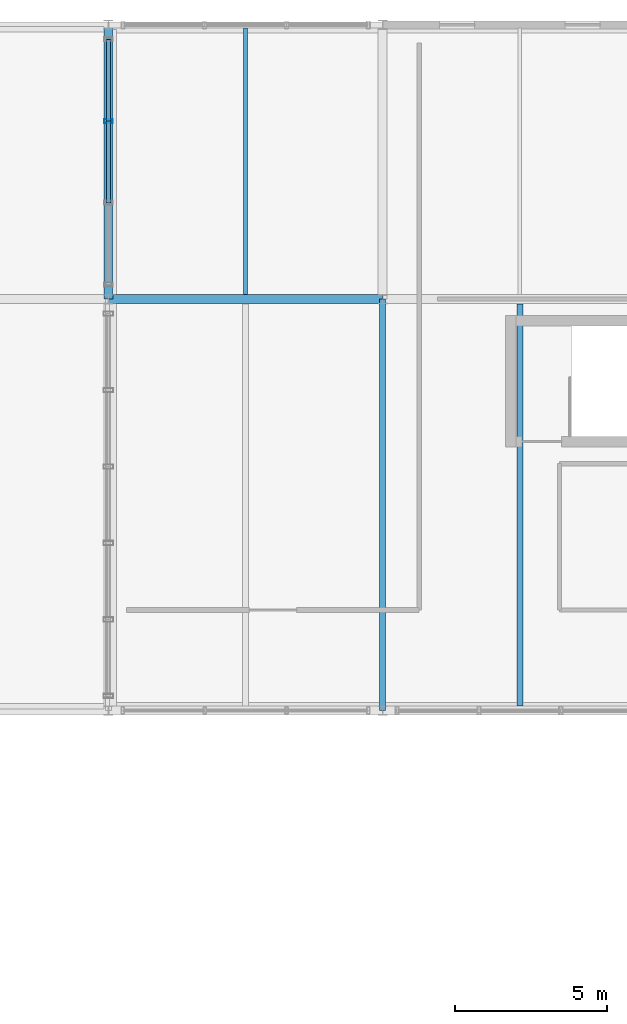
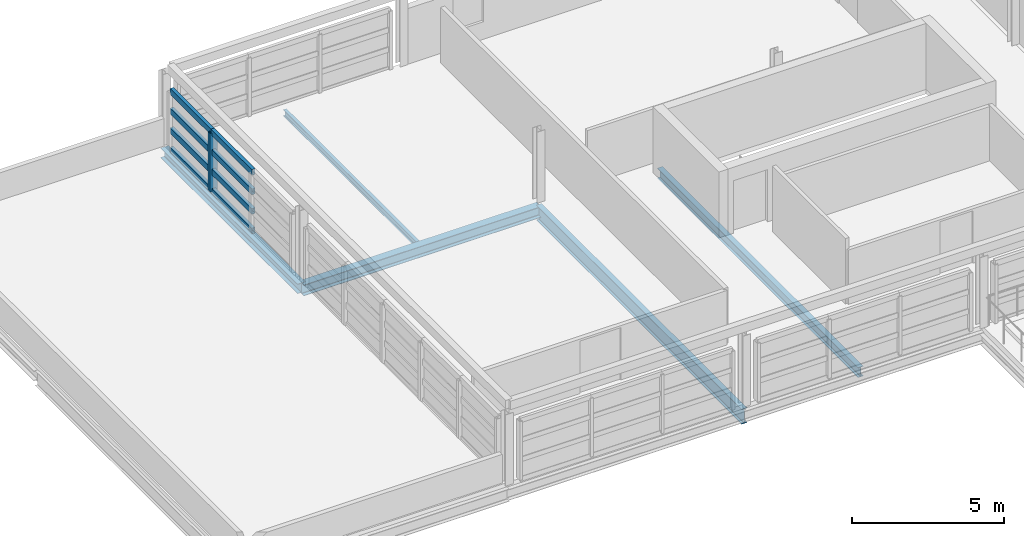
# One storey, part 14 of 27: 9 members, 5 beams, 1 element without a shape of its own.
"""IFC4 building model written with IfcOpenShell, lengths in metres."""

from ifc_helpers import new_model, si_unit, direction, frame, origin, origin_2d, place, context, subcontext, project, spatial, hollow_rectangle, i_section, extrude, material, material_profile, profile_set, type_object, element, aggregate, save


model = new_model("IFC4")

# Units and contexts
model_context = context("Model", 3, precision=1e-05, world=origin(), true_north=direction((0.0, 1.0)))
body_context = subcontext(model_context, "Body", "Model", "MODEL_VIEW")
ifc_project = project(units=[si_unit("LENGTHUNIT", "METRE"), si_unit("AREAUNIT", "SQUARE_METRE"), si_unit("VOLUMEUNIT", "CUBIC_METRE"), si_unit("PLANEANGLEUNIT", "RADIAN"), si_unit("MASSUNIT", "GRAM", prefix="KILO")], contexts=[model_context])

# Site, building, storey
site_placement = place(None, origin())
site = spatial("IfcSite", under=ifc_project, at=site_placement, CompositionType="ELEMENT")
building_placement = place(site_placement, origin())
building = spatial("IfcBuilding", under=site, at=building_placement, Name="Chuanluo Vaults Station", CompositionType="ELEMENT")
storey_placement = place(building_placement, frame((0.0, 0.0, 20.800048828125)))
storey = spatial("IfcBuildingStorey", under=building, at=storey_placement, Name="L05", CompositionType="ELEMENT", Elevation=20.800048828125)

# Beams
ifc_material_1 = material(Name="Steel Q355C", Category="steel")
ifc_material_profile_1 = material_profile(ifc_material_1, i_section(OverallWidth=0.300048828125, OverallDepth=0.389892578125, WebThickness=0.010009765625, FlangeThickness=0.01611328125, FilletRadius=0.02001953125, at=origin_2d()))
ifc_profile_set_1 = profile_set([ifc_material_profile_1], Name="Steel Q355C")
beam_type_1 = type_object("IfcBeamType", Name="BM-GRD-400", PredefinedType="BEAM", material=ifc_profile_set_1)
beam_1_placement = place(storey_placement, frame((136.0, 117.0, -0.375), z_axis=(0.0, 1.0, 0.0), x_axis=(-1.0, 0.0, 0.0)))
element("IfcBeam", 1, at=beam_1_placement, inside=storey, type_object=beam_type_1, Name="Floor girder BM:GY:L05:0988", PredefinedType="BEAM", context=body_context, shape_type="SweptSolid", body=[
    extrude(i_section(OverallWidth=0.300048828125, OverallDepth=0.389892578125, WebThickness=0.010009765625, FlangeThickness=0.01611328125, FilletRadius=0.02001953125, at=origin_2d()), origin(), (0.0, 0.0, 1.0), 9.0),
])
ifc_material_2 = material(Name="Steel Q355C", Category="steel")
ifc_material_profile_2 = material_profile(ifc_material_2, i_section(OverallWidth=0.300048828125, OverallDepth=0.43994140625, WebThickness=0.010986328125, FlangeThickness=0.01806640625, FilletRadius=0.02001953125, at=origin_2d()))
ifc_profile_set_2 = profile_set([ifc_material_profile_2], Name="Steel Q355C")
beam_type_2 = type_object("IfcBeamType", Name="BM-GRD-450", PredefinedType="USERDEFINED", material=ifc_profile_set_2)
beam_2_placement = place(storey_placement, frame((136.0, 117.0, -0.400146484375), z_axis=(1.0, 0.0, 0.0), x_axis=(0.0, 1.0, 0.0)))
element("IfcBeam", 2, at=beam_2_placement, inside=storey, type_object=beam_type_2, Name="Floor girder BM:GX:L05:0973", ObjectType="GIRDER", PredefinedType="USERDEFINED", context=body_context, shape_type="SweptSolid", body=[
    extrude(i_section(OverallWidth=0.300048828125, OverallDepth=0.43994140625, WebThickness=0.010986328125, FlangeThickness=0.01806640625, FilletRadius=0.02001953125, at=origin_2d()), origin(), (0.0, 0.0, 1.0), 9.0),
])
ifc_material_3 = material(Name="Steel Q355C", Category="steel")
ifc_material_profile_3 = material_profile(ifc_material_3, i_section(OverallWidth=0.199951171875, OverallDepth=0.60009765625, WebThickness=0.010986328125, FlangeThickness=0.01708984375, FilletRadius=0.01806640625, at=origin_2d()))
ifc_profile_set_3 = profile_set([ifc_material_profile_3], Name="Steel Q355C")
beam_type_3 = type_object("IfcBeamType", Name="BM-GRD-600", PredefinedType="USERDEFINED", material=ifc_profile_set_3)
beam_3_placement = place(storey_placement, frame((145.0, 103.5, -0.47998046875), z_axis=(0.0, 1.0, 0.0), x_axis=(-1.0, 0.0, 0.0)))
element("IfcBeam", 3, at=beam_3_placement, inside=storey, type_object=beam_type_3, Name="Floor girder BM:GY:L05:0989", ObjectType="GIRDER", PredefinedType="USERDEFINED", context=body_context, shape_type="SweptSolid", body=[
    extrude(i_section(OverallWidth=0.199951171875, OverallDepth=0.60009765625, WebThickness=0.010986328125, FlangeThickness=0.01708984375, FilletRadius=0.01806640625, at=origin_2d()), origin(), (0.0, 0.0, 1.0), 13.5),
])
ifc_material_4 = material(Name="Steel Q355C", Category="steel")
ifc_material_profile_4 = material_profile(ifc_material_4, i_section(OverallWidth=0.125, OverallDepth=0.25, WebThickness=0.006103515625, FlangeThickness=0.009033203125, FilletRadius=0.011962890625, at=origin_2d()))
ifc_profile_set_4 = profile_set([ifc_material_profile_4], Name="Steel Q355C")
beam_type_4 = type_object("IfcBeamType", Name="BM-SEC-250", PredefinedType="JOIST", material=ifc_profile_set_4)
beam_4_placement = place(storey_placement, frame((140.5, 117.155029296875, -0.304931640625), z_axis=(0.0, 1.0, 0.0), x_axis=(-1.0, 0.0, 0.0)))
element("IfcBeam", 4, at=beam_4_placement, inside=storey, type_object=beam_type_4, Name="Composite secondary joist 0297", PredefinedType="JOIST", context=body_context, shape_type="SweptSolid", body=[
    extrude(i_section(OverallWidth=0.125, OverallDepth=0.25, WebThickness=0.006103515625, FlangeThickness=0.009033203125, FilletRadius=0.011962890625, at=origin_2d()), origin(), (0.0, 0.0, 1.0), 8.737548828125),
])
ifc_material_5 = material(Name="Steel Q355C", Category="steel")
ifc_material_profile_5 = material_profile(ifc_material_5, i_section(OverallWidth=0.199951171875, OverallDepth=0.39990234375, WebThickness=0.008056640625, FlangeThickness=0.012939453125, FilletRadius=0.01611328125, at=origin_2d()))
ifc_profile_set_5 = profile_set([ifc_material_profile_5], Name="Steel Q355C")
beam_type_5 = type_object("IfcBeamType", Name="BM-SEC-400", PredefinedType="BEAM", material=ifc_profile_set_5)
beam_5_placement = place(storey_placement, frame((149.5, 103.655029296875, -0.380126953125), z_axis=(0.0, 1.0, 0.0), x_axis=(-1.0, 0.0, 0.0)))
element("IfcBeam", 5, at=beam_5_placement, inside=storey, type_object=beam_type_5, Name="Composite secondary joist 0298", PredefinedType="BEAM", context=body_context, shape_type="SweptSolid", body=[
    extrude(i_section(OverallWidth=0.199951171875, OverallDepth=0.39990234375, WebThickness=0.008056640625, FlangeThickness=0.012939453125, FilletRadius=0.01611328125, at=origin_2d()), origin(), (0.0, 0.0, 1.0), 13.18994140625),
])

# Curtain wall, members
ifc_material_6 = material(Name="Anodised aluminium 6063-T6", Category="aluminium")
curtain_wall_type = type_object("IfcCurtainWallType", Name="CW-SYS-26", PredefinedType="NOTDEFINED", material=ifc_material_6)
curtain_wall_placement = place(storey_placement, origin())
curtain_wall = element("IfcCurtainWall", 6, at=curtain_wall_placement, inside=storey, type_object=curtain_wall_type, Name="Operations L05 facade CW", PredefinedType="NOTDEFINED")
ifc_material_7 = material(Name="Anodised aluminium 6063-T6", Category="aluminium")
ifc_material_profile_6 = material_profile(ifc_material_7, hollow_rectangle(XDim=0.1298828125, YDim=0.280029296875, WallThickness=0.007080078125, at=origin_2d()))
ifc_profile_set_6 = profile_set([ifc_material_profile_6], Name="Anodised aluminium 6063-T6")
member_type_1 = type_object("IfcMemberType", Name="CWM-180", PredefinedType="MULLION", material=ifc_profile_set_6)
member_1_placement = place(storey_placement, frame((136.0, 122.841796875, 0.0), z_axis=(0.0, 0.0, 1.0), x_axis=(0.0, 1.0, 0.0)))
member_1 = element("IfcMember", 7, at=member_1_placement, type_object=member_type_1, Name="Operations L05 facade CW mullion 3", PredefinedType="MULLION", context=body_context, shape_type="SweptSolid", body=[
    extrude(hollow_rectangle(XDim=0.1298828125, YDim=0.280029296875, WallThickness=0.007080078125, at=origin_2d()), origin(), (0.0, 0.0, 1.0), 2.349853515625),
])
ifc_material_8 = material(Name="Anodised aluminium 6063-T6", Category="aluminium")
ifc_material_profile_7 = material_profile(ifc_material_8, hollow_rectangle(XDim=0.1298828125, YDim=0.22998046875, WallThickness=0.006103515625, at=origin_2d()))
ifc_profile_set_7 = profile_set([ifc_material_profile_7], Name="Anodised aluminium 6063-T6")
member_type_2 = type_object("IfcMemberType", Name="CWT-150", PredefinedType="USERDEFINED", material=ifc_profile_set_7)
member_2_placement = place(storey_placement, frame((136.0, 120.158203125, 0.0), z_axis=(0.0, 1.0, 0.0), x_axis=(-1.0, 0.0, 0.0)))
member_2 = element("IfcMember", 8, at=member_2_placement, type_object=member_type_2, Name="Operations L05 facade CW transom 2.1", ObjectType="TRANSOM", PredefinedType="USERDEFINED", context=body_context, shape_type="SweptSolid", body=[
    extrude(hollow_rectangle(XDim=0.1298828125, YDim=0.22998046875, WallThickness=0.006103515625, at=origin_2d()), origin(), (0.0, 0.0, 1.0), 2.68359375),
])
member_3_placement = place(storey_placement, frame((136.0, 120.158203125, 0.783203125), z_axis=(0.0, 1.0, 0.0), x_axis=(-1.0, 0.0, 0.0)))
member_3 = element("IfcMember", 9, at=member_3_placement, type_object=member_type_2, Name="Operations L05 facade CW transom 2.2", ObjectType="TRANSOM", PredefinedType="USERDEFINED", context=body_context, shape_type="SweptSolid", body=[
    extrude(hollow_rectangle(XDim=0.1298828125, YDim=0.22998046875, WallThickness=0.006103515625, at=origin_2d()), origin(), (0.0, 0.0, 1.0), 2.68359375),
])
member_4_placement = place(storey_placement, frame((136.0, 120.158203125, 1.566650390625), z_axis=(0.0, 1.0, 0.0), x_axis=(-1.0, 0.0, 0.0)))
member_4 = element("IfcMember", 10, at=member_4_placement, type_object=member_type_2, Name="Operations L05 facade CW transom 2.3", ObjectType="TRANSOM", PredefinedType="USERDEFINED", context=body_context, shape_type="SweptSolid", body=[
    extrude(hollow_rectangle(XDim=0.1298828125, YDim=0.22998046875, WallThickness=0.006103515625, at=origin_2d()), origin(), (0.0, 0.0, 1.0), 2.68359375),
])
member_5_placement = place(storey_placement, frame((136.0, 120.158203125, 2.349853515625), z_axis=(0.0, 1.0, 0.0), x_axis=(-1.0, 0.0, 0.0)))
member_5 = element("IfcMember", 11, at=member_5_placement, type_object=member_type_2, Name="Operations L05 facade CW transom 2.4", ObjectType="TRANSOM", PredefinedType="USERDEFINED", context=body_context, shape_type="SweptSolid", body=[
    extrude(hollow_rectangle(XDim=0.1298828125, YDim=0.22998046875, WallThickness=0.006103515625, at=origin_2d()), origin(), (0.0, 0.0, 1.0), 2.68359375),
])
member_6_placement = place(storey_placement, frame((136.0, 122.841796875, 0.0), z_axis=(0.0, 1.0, 0.0), x_axis=(-1.0, 0.0, 0.0)))
member_6 = element("IfcMember", 12, at=member_6_placement, type_object=member_type_2, Name="Operations L05 facade CW transom 3.1", ObjectType="TRANSOM", PredefinedType="USERDEFINED", context=body_context, shape_type="SweptSolid", body=[
    extrude(hollow_rectangle(XDim=0.1298828125, YDim=0.22998046875, WallThickness=0.006103515625, at=origin_2d()), origin(), (0.0, 0.0, 1.0), 2.68310546875),
])
member_7_placement = place(storey_placement, frame((136.0, 122.841796875, 0.783203125), z_axis=(0.0, 1.0, 0.0), x_axis=(-1.0, 0.0, 0.0)))
member_7 = element("IfcMember", 13, at=member_7_placement, type_object=member_type_2, Name="Operations L05 facade CW transom 3.2", ObjectType="TRANSOM", PredefinedType="USERDEFINED", context=body_context, shape_type="SweptSolid", body=[
    extrude(hollow_rectangle(XDim=0.1298828125, YDim=0.22998046875, WallThickness=0.006103515625, at=origin_2d()), origin(), (0.0, 0.0, 1.0), 2.68310546875),
])
member_8_placement = place(storey_placement, frame((136.0, 122.841796875, 1.566650390625), z_axis=(0.0, 1.0, 0.0), x_axis=(-1.0, 0.0, 0.0)))
member_8 = element("IfcMember", 14, at=member_8_placement, type_object=member_type_2, Name="Operations L05 facade CW transom 3.3", ObjectType="TRANSOM", PredefinedType="USERDEFINED", context=body_context, shape_type="SweptSolid", body=[
    extrude(hollow_rectangle(XDim=0.1298828125, YDim=0.22998046875, WallThickness=0.006103515625, at=origin_2d()), origin(), (0.0, 0.0, 1.0), 2.68310546875),
])
member_9_placement = place(storey_placement, frame((136.0, 122.841796875, 2.349853515625), z_axis=(0.0, 1.0, 0.0), x_axis=(-1.0, 0.0, 0.0)))
member_9 = element("IfcMember", 15, at=member_9_placement, type_object=member_type_2, Name="Operations L05 facade CW transom 3.4", ObjectType="TRANSOM", PredefinedType="USERDEFINED", context=body_context, shape_type="SweptSolid", body=[
    extrude(hollow_rectangle(XDim=0.1298828125, YDim=0.22998046875, WallThickness=0.006103515625, at=origin_2d()), origin(), (0.0, 0.0, 1.0), 2.68310546875),
])
aggregate(curtain_wall, [member_1, member_2, member_3, member_4, member_5, member_6, member_7, member_8, member_9])

save(model, "model.ifc")
